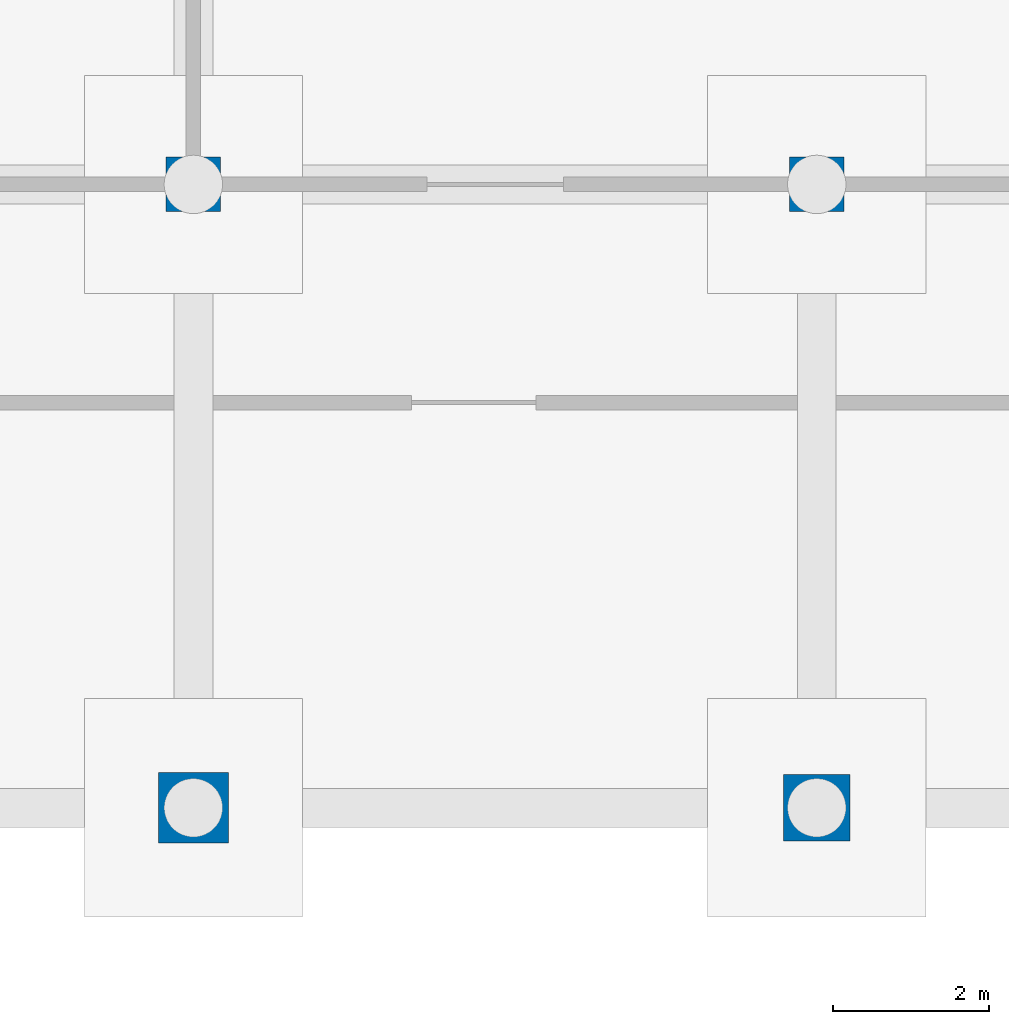
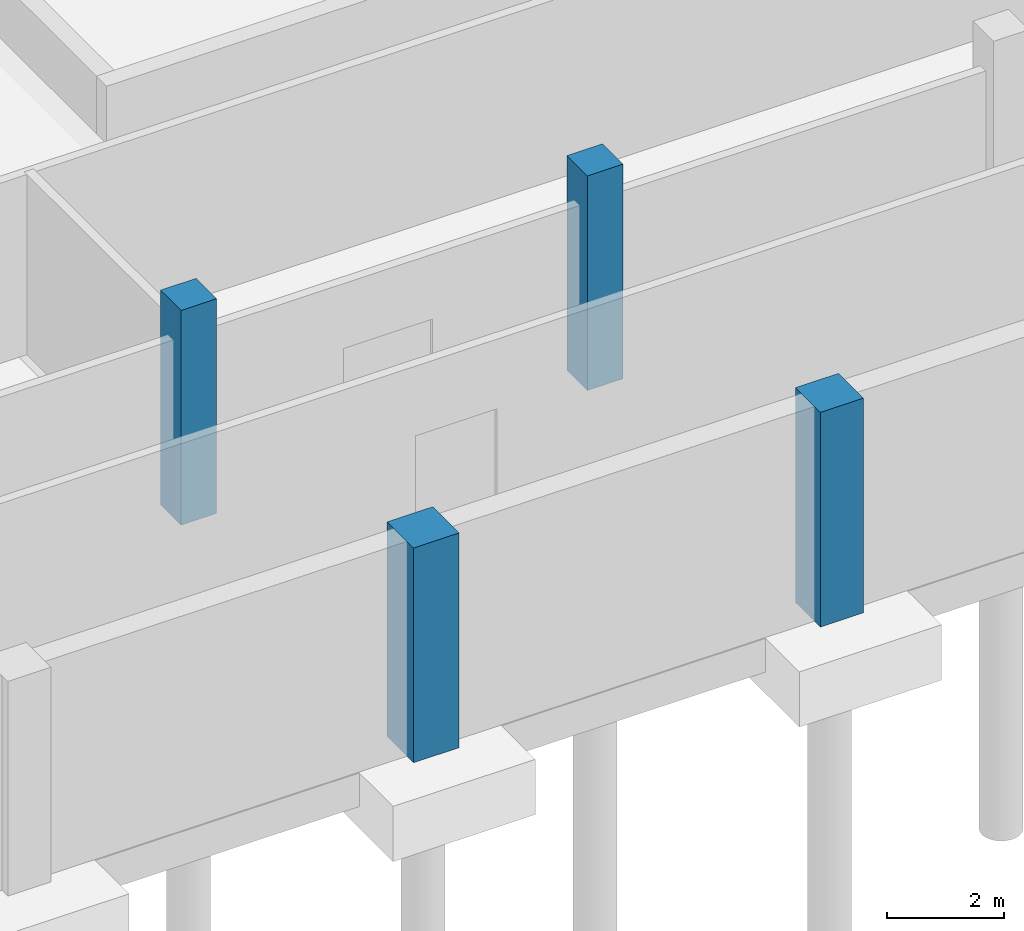
# One storey, part 6 of 29: 4 columns.
"""IFC4 building model written with IfcOpenShell, lengths in metres."""

from ifc_helpers import new_model, si_unit, direction, frame, origin, origin_2d, place, context, subcontext, project, spatial, rectangle, extrude, material, material_profile, profile_set, type_object, element, save


model = new_model("IFC4")

# Units and contexts
model_context = context("Model", 3, precision=1e-05, world=origin(), true_north=direction((0.0, 1.0)))
body_context = subcontext(model_context, "Body", "Model", "MODEL_VIEW")
ifc_project = project(units=[si_unit("LENGTHUNIT", "METRE"), si_unit("AREAUNIT", "SQUARE_METRE"), si_unit("VOLUMEUNIT", "CUBIC_METRE"), si_unit("PLANEANGLEUNIT", "RADIAN"), si_unit("MASSUNIT", "GRAM", prefix="KILO")], contexts=[model_context])

# Site, building, storey
site_placement = place(None, origin())
site = spatial("IfcSite", under=ifc_project, at=site_placement, CompositionType="ELEMENT")
building_placement = place(site_placement, origin())
building = spatial("IfcBuilding", under=site, at=building_placement, Name="Drelvana Railside Aquatics Centre", CompositionType="ELEMENT")
storey_placement = place(building_placement, frame((0.0, 0.0, -4.800048828125)))
storey = spatial("IfcBuildingStorey", under=building, at=storey_placement, Name="B1", CompositionType="ELEMENT", Elevation=-4.800048828125)

# Columns
ifc_material = material(Name="Concrete C40/50", Category="concrete")
ifc_material_profile_1 = material_profile(ifc_material, rectangle(XDim=0.699951171875, YDim=0.699951171875, at=origin_2d()), Name="RC 700x700")
ifc_profile_set_1 = profile_set([ifc_material_profile_1], Name="Concrete C40/50")
column_type_1 = type_object("IfcColumnType", Name="STR-COL-RC-700x700", PredefinedType="COLUMN", material=ifc_profile_set_1)
for number, where, z_axis, x_axis, name in (
    (1, (48.0, 24.0, 0.0), (0.0, 0.0, 1.0), (1.0, 0.0, 0.0), "Column C-06 (B1)"),
    (2, (56.0, 24.0, 0.0), (0.0, 0.0, 1.0), (1.0, 0.0, 0.0), "Column C-06 (B1)"),
):
    element("IfcColumn", number, at=place(storey_placement, frame(where, z_axis=z_axis, x_axis=x_axis)), inside=storey, type_object=column_type_1, Name=name, PredefinedType="COLUMN", context=body_context, shape_type="SweptSolid", body=[
        extrude(rectangle(XDim=0.699951171875, YDim=0.699951171875, at=origin_2d()), origin(), (0.0, 0.0, 1.0), 4.469970703125),
    ])
ifc_material_profile_2 = material_profile(ifc_material, rectangle(XDim=0.85009765625, YDim=0.85009765625, at=origin_2d()), Name="RC 850x850")
ifc_profile_set_2 = profile_set([ifc_material_profile_2], Name="Concrete C40/50")
column_type_2 = type_object("IfcColumnType", Name="STR-COL-RC-850x850", PredefinedType="COLUMN", material=ifc_profile_set_2)
column_1_placement = place(storey_placement, frame((56.0, 16.0, 0.0), z_axis=(0.0, 0.0, 1.0), x_axis=(1.0, 0.0, 0.0)))
element("IfcColumn", 3, at=column_1_placement, inside=storey, type_object=column_type_2, Name="Column C-09 (B1)", PredefinedType="COLUMN", context=body_context, shape_type="SweptSolid", body=[
    extrude(rectangle(XDim=0.85009765625, YDim=0.85009765625, at=origin_2d()), origin(), (0.0, 0.0, 1.0), 4.469970703125),
])
ifc_material_profile_3 = material_profile(ifc_material, rectangle(XDim=0.89990234375, YDim=0.89990234375, at=origin_2d()), Name="RC 900x900")
ifc_profile_set_3 = profile_set([ifc_material_profile_3], Name="Concrete C40/50")
column_type_3 = type_object("IfcColumnType", Name="STR-COL-RC-900x900", PredefinedType="COLUMN", material=ifc_profile_set_3)
column_2_placement = place(storey_placement, frame((48.0, 16.0, 0.0), z_axis=(0.0, 0.0, 1.0), x_axis=(1.0, 0.0, 0.0)))
element("IfcColumn", 4, at=column_2_placement, inside=storey, type_object=column_type_3, Name="Column C-10 (B1)", PredefinedType="COLUMN", context=body_context, shape_type="SweptSolid", body=[
    extrude(rectangle(XDim=0.89990234375, YDim=0.89990234375, at=origin_2d()), origin(), (0.0, 0.0, 1.0), 4.469970703125),
])

save(model, "model.ifc")
